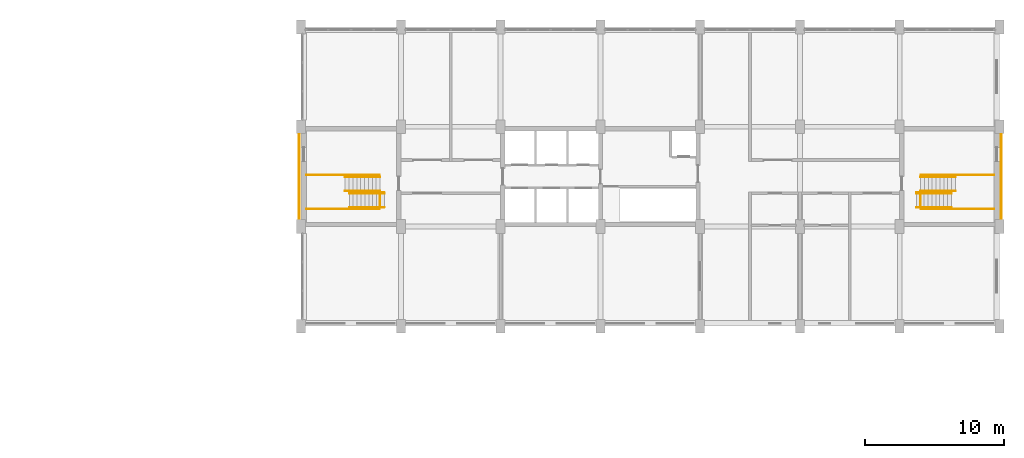
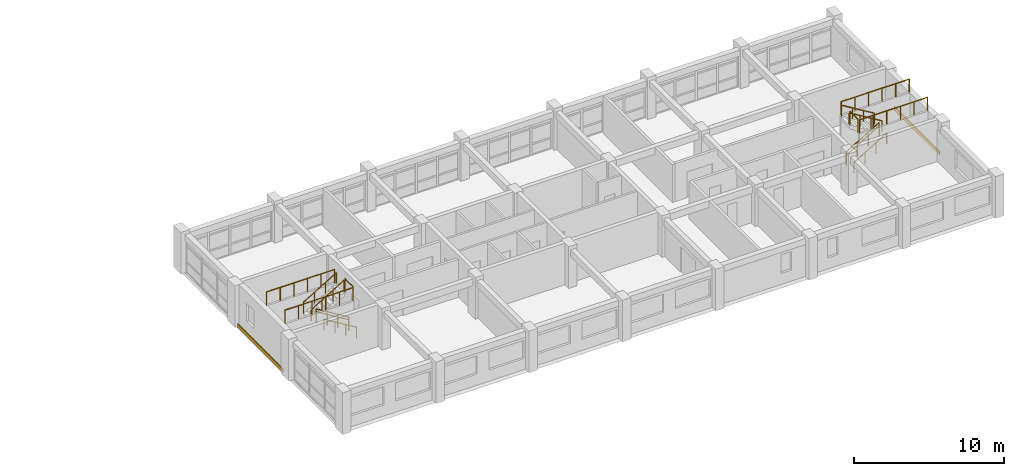
# One storey, part 19 of 19: 16 railings, 2 coverings.
"""IFC4 building model written with IfcOpenShell, lengths in metres."""

from ifc_helpers import new_model, si_unit, direction, frame, origin, origin_2d, place, context, subcontext, project, spatial, polyline, circle, outline, extrude, material, layer, layer_set, type_object, element, save


model = new_model("IFC4")

# Units and contexts
model_context = context("Model", 3, precision=1e-05, world=origin(), true_north=direction((0.0, 1.0)))
body_context = subcontext(model_context, "Body", "Model", "MODEL_VIEW")
ifc_project = project(units=[si_unit("LENGTHUNIT", "METRE"), si_unit("AREAUNIT", "SQUARE_METRE"), si_unit("VOLUMEUNIT", "CUBIC_METRE"), si_unit("PLANEANGLEUNIT", "RADIAN"), si_unit("MASSUNIT", "GRAM", prefix="KILO")], contexts=[model_context])

# Site, building, storey
site_placement = place(None, origin())
site = spatial("IfcSite", under=ifc_project, at=site_placement, CompositionType="ELEMENT")
building_placement = place(site_placement, origin())
building = spatial("IfcBuilding", under=site, at=building_placement, Name="Vermilion Court Aquatics Centre", CompositionType="ELEMENT")
storey_placement = place(building_placement, frame((0.0, 0.0, 19.89990234375)))
storey = spatial("IfcBuildingStorey", under=building, at=storey_placement, Name="L04", CompositionType="ELEMENT", Elevation=19.89990234375)

# Coverings
ifc_material_1 = material(Name="Brick masonry", Category="masonry")
ifc_layer = layer(ifc_material_1, 0.06005859375)
ifc_layer_set = layer_set([ifc_layer], Name="North block band course 60")
covering_type = type_object("IfcCoveringType", Name="North block band course 60", PredefinedType="CLADDING", material=ifc_layer_set)
covering_1_placement = place(storey_placement, origin())
element("IfcCovering", 1, at=covering_1_placement, inside=storey, type_object=covering_type, Name="North block band course west end L04", PredefinedType="CLADDING", context=body_context, shape_type="SweptSolid", body=[
    extrude(outline(polyline([(143.837890625, 101.35009765625), (143.89794921875, 101.35009765625), (143.89794921875, 107.449951171875), (143.837890625, 107.449951171875), (143.837890625, 101.35009765625)])), origin(), (0.0, 0.0, 1.0), 0.300048828125),
])
covering_2_placement = place(storey_placement, origin())
element("IfcCovering", 2, at=covering_2_placement, inside=storey, type_object=covering_type, Name="North block band course east end L04", PredefinedType="CLADDING", context=body_context, shape_type="SweptSolid", body=[
    extrude(outline(polyline([(194.501953125, 101.35009765625), (194.56201171875, 101.35009765625), (194.56201171875, 107.449951171875), (194.501953125, 107.449951171875), (194.501953125, 101.35009765625)])), origin(), (0.0, 0.0, 1.0), 0.300048828125),
])

# Railings
ifc_material_2 = material(Name="Steel ASTM A992 Grade 50", Category="steel")
railing_type_1 = type_object("IfcRailingType", Name="North block stair guard 1100", PredefinedType="GUARDRAIL", material=ifc_material_2)
railing_1_placement = place(storey_placement, frame((150.0, 103.235107421875, 0.170166015625)))
element("IfcRailing", 3, at=railing_1_placement, inside=storey, type_object=railing_type_1, Name="Stair 1 guard well L04", PredefinedType="GUARDRAIL", context=body_context, shape_type="SweptSolid", body=[
    extrude(circle(Radius=0.02392578125, at=origin_2d()), frame((0.0, 0.0, 1.076171875), z_axis=(-0.85478489116, 0.0, 0.518982456201), x_axis=(0.0, -1.0, 0.0)), (0.0, 0.0, 1.0), 2.9482421875),
    extrude(circle(Radius=0.02099609375, at=origin_2d()), origin(), (0.0, 0.0, 1.0), 1.052001953125),
    extrude(circle(Radius=0.02099609375, at=origin_2d()), frame((-0.840087890625, 0.0, 0.510009765625)), (0.0, 0.0, 1.0), 1.052001953125),
    extrude(circle(Radius=0.02099609375, at=origin_2d()), frame((-1.679931640625, 0.0, 1.02001953125)), (0.0, 0.0, 1.0), 1.052001953125),
    extrude(circle(Radius=0.02099609375, at=origin_2d()), frame((-2.52001953125, 0.0, 1.530029296875)), (0.0, 0.0, 1.0), 1.052001953125),
])
railing_2_placement = place(storey_placement, frame((149.699951171875, 103.22998046875, 3.400146484375)))
element("IfcRailing", 4, at=railing_2_placement, inside=storey, type_object=railing_type_1, Name="Stair 1 floor edge guard L04", PredefinedType="GUARDRAIL", context=body_context, shape_type="SweptSolid", body=[
    extrude(circle(Radius=0.02392578125, at=origin_2d()), frame((0.0, 0.0, 1.076171875), z_axis=(0.0, -1.0, 0.0), x_axis=(1.0, 0.0, 0.0)), (0.0, 0.0, 1.0), 1.070068359375),
    extrude(circle(Radius=0.02099609375, at=origin_2d()), origin(), (0.0, 0.0, 1.0), 1.052001953125),
    extrude(circle(Radius=0.02099609375, at=origin_2d()), frame((0.0, -1.070068359375, 0.0)), (0.0, 0.0, 1.0), 1.052001953125),
])
for number, where, name in (
    (5, (144.39990234375, 102.054931640625, 3.400146484375), "Stair 1 guard well roof opening L04"),
    (6, (144.39990234375, 104.5048828125, 3.400146484375), "Stair 1 guard well roof opening north L04"),
):
    element("IfcRailing", number, at=place(storey_placement, frame(where)), inside=storey, type_object=railing_type_1, Name=name, PredefinedType="GUARDRAIL", context=body_context, shape_type="SweptSolid", body=[
        extrude(circle(Radius=0.02392578125, at=origin_2d()), frame((0.0, 0.0, 1.076171875), z_axis=(1.0, 0.0, 0.0), x_axis=(0.0, 1.0, 0.0)), (0.0, 0.0, 1.0), 5.25),
        extrude(circle(Radius=0.02099609375, at=origin_2d()), origin(), (0.0, 0.0, 1.0), 1.052001953125),
        extrude(circle(Radius=0.02099609375, at=origin_2d()), frame((1.050048828125, 0.0, 0.0)), (0.0, 0.0, 1.0), 1.052001953125),
        extrude(circle(Radius=0.02099609375, at=origin_2d()), frame((2.10009765625, 0.0, 0.0)), (0.0, 0.0, 1.0), 1.052001953125),
        extrude(circle(Radius=0.02099609375, at=origin_2d()), frame((3.14990234375, 0.0, 0.0)), (0.0, 0.0, 1.0), 1.052001953125),
        extrude(circle(Radius=0.02099609375, at=origin_2d()), frame((4.199951171875, 0.0, 0.0)), (0.0, 0.0, 1.0), 1.052001953125),
        extrude(circle(Radius=0.02099609375, at=origin_2d()), frame((5.25, 0.0, 0.0)), (0.0, 0.0, 1.0), 1.052001953125),
    ])
railing_3_placement = place(storey_placement, frame((188.39990234375, 103.235107421875, 0.170166015625)))
element("IfcRailing", 7, at=railing_3_placement, inside=storey, type_object=railing_type_1, Name="Stair 2 guard well L04", PredefinedType="GUARDRAIL", context=body_context, shape_type="SweptSolid", body=[
    extrude(circle(Radius=0.02392578125, at=origin_2d()), frame((0.0, 0.0, 1.076171875), z_axis=(0.85478489116, 0.0, 0.518982456201), x_axis=(0.0, 1.0, 0.0)), (0.0, 0.0, 1.0), 2.9482421875),
    extrude(circle(Radius=0.02099609375, at=origin_2d()), origin(), (0.0, 0.0, 1.0), 1.052001953125),
    extrude(circle(Radius=0.02099609375, at=origin_2d()), frame((0.840087890625, 0.0, 0.510009765625)), (0.0, 0.0, 1.0), 1.052001953125),
    extrude(circle(Radius=0.02099609375, at=origin_2d()), frame((1.679931640625, 0.0, 1.02001953125)), (0.0, 0.0, 1.0), 1.052001953125),
    extrude(circle(Radius=0.02099609375, at=origin_2d()), frame((2.52001953125, 0.0, 1.530029296875)), (0.0, 0.0, 1.0), 1.052001953125),
])
railing_4_placement = place(storey_placement, frame((188.699951171875, 103.22998046875, 3.400146484375)))
element("IfcRailing", 8, at=railing_4_placement, inside=storey, type_object=railing_type_1, Name="Stair 2 floor edge guard L04", PredefinedType="GUARDRAIL", context=body_context, shape_type="SweptSolid", body=[
    extrude(circle(Radius=0.02392578125, at=origin_2d()), frame((0.0, 0.0, 1.076171875), z_axis=(0.0, -1.0, 0.0), x_axis=(1.0, 0.0, 0.0)), (0.0, 0.0, 1.0), 1.070068359375),
    extrude(circle(Radius=0.02099609375, at=origin_2d()), origin(), (0.0, 0.0, 1.0), 1.052001953125),
    extrude(circle(Radius=0.02099609375, at=origin_2d()), frame((0.0, -1.070068359375, 0.0)), (0.0, 0.0, 1.0), 1.052001953125),
])
for number, where, name in (
    (9, (188.75, 102.054931640625, 3.400146484375), "Stair 2 guard well roof opening L04"),
    (10, (188.75, 104.5048828125, 3.400146484375), "Stair 2 guard well roof opening north L04"),
):
    element("IfcRailing", number, at=place(storey_placement, frame(where)), inside=storey, type_object=railing_type_1, Name=name, PredefinedType="GUARDRAIL", context=body_context, shape_type="SweptSolid", body=[
        extrude(circle(Radius=0.02392578125, at=origin_2d()), frame((0.0, 0.0, 1.076171875), z_axis=(1.0, 0.0, 0.0), x_axis=(0.0, 1.0, 0.0)), (0.0, 0.0, 1.0), 5.25),
        extrude(circle(Radius=0.02099609375, at=origin_2d()), origin(), (0.0, 0.0, 1.0), 1.052001953125),
        extrude(circle(Radius=0.02099609375, at=origin_2d()), frame((1.050048828125, 0.0, 0.0)), (0.0, 0.0, 1.0), 1.052001953125),
        extrude(circle(Radius=0.02099609375, at=origin_2d()), frame((2.10009765625, 0.0, 0.0)), (0.0, 0.0, 1.0), 1.052001953125),
        extrude(circle(Radius=0.02099609375, at=origin_2d()), frame((3.14990234375, 0.0, 0.0)), (0.0, 0.0, 1.0), 1.052001953125),
        extrude(circle(Radius=0.02099609375, at=origin_2d()), frame((4.199951171875, 0.0, 0.0)), (0.0, 0.0, 1.0), 1.052001953125),
        extrude(circle(Radius=0.02099609375, at=origin_2d()), frame((5.25, 0.0, 0.0)), (0.0, 0.0, 1.0), 1.052001953125),
    ])
ifc_material_3 = material(Name="Steel ASTM A992 Grade 50", Category="steel")
railing_type_2 = type_object("IfcRailingType", Name="North block stair handrail 900", PredefinedType="HANDRAIL", material=ifc_material_3)
for number, where, name in (
    (11, (150.0, 102.179931640625, 0.170166015625), "Stair 1 handrail wall L04"),
    (12, (150.0, 103.18505859375, 0.170166015625), "Stair 1 handrail well L04"),
):
    element("IfcRailing", number, at=place(storey_placement, frame(where)), inside=storey, type_object=railing_type_2, Name=name, PredefinedType="HANDRAIL", context=body_context, shape_type="SweptSolid", body=[
        extrude(circle(Radius=0.02392578125, at=origin_2d()), frame((0.0, 0.0, 0.8759765625), z_axis=(-0.85478489116, 0.0, 0.518982456201), x_axis=(0.0, -1.0, 0.0)), (0.0, 0.0, 1.0), 2.9482421875),
        extrude(circle(Radius=0.02099609375, at=origin_2d()), origin(), (0.0, 0.0, 1.0), 0.851806640625),
        extrude(circle(Radius=0.02099609375, at=origin_2d()), frame((-0.840087890625, 0.0, 0.510009765625)), (0.0, 0.0, 1.0), 0.851806640625),
        extrude(circle(Radius=0.02099609375, at=origin_2d()), frame((-1.679931640625, 0.0, 1.02001953125)), (0.0, 0.0, 1.0), 0.851806640625),
        extrude(circle(Radius=0.02099609375, at=origin_2d()), frame((-2.52001953125, 0.0, 1.530029296875)), (0.0, 0.0, 1.0), 0.851806640625),
    ])
for number, where, name in (
    (13, (147.179931640625, 104.3798828125, 1.8701171875), "Stair 1 handrail wall L04"),
    (14, (147.179931640625, 103.35009765625, 1.8701171875), "Stair 1 handrail well L04"),
    (15, (188.39990234375, 102.179931640625, 0.170166015625), "Stair 2 handrail wall L04"),
    (16, (188.39990234375, 103.18505859375, 0.170166015625), "Stair 2 handrail well L04"),
):
    element("IfcRailing", number, at=place(storey_placement, frame(where)), inside=storey, type_object=railing_type_2, Name=name, PredefinedType="HANDRAIL", context=body_context, shape_type="SweptSolid", body=[
        extrude(circle(Radius=0.02392578125, at=origin_2d()), frame((0.0, 0.0, 0.8759765625), z_axis=(0.85478489116, 0.0, 0.518982456201), x_axis=(0.0, 1.0, 0.0)), (0.0, 0.0, 1.0), 2.9482421875),
        extrude(circle(Radius=0.02099609375, at=origin_2d()), origin(), (0.0, 0.0, 1.0), 0.851806640625),
        extrude(circle(Radius=0.02099609375, at=origin_2d()), frame((0.840087890625, 0.0, 0.510009765625)), (0.0, 0.0, 1.0), 0.851806640625),
        extrude(circle(Radius=0.02099609375, at=origin_2d()), frame((1.679931640625, 0.0, 1.02001953125)), (0.0, 0.0, 1.0), 0.851806640625),
        extrude(circle(Radius=0.02099609375, at=origin_2d()), frame((2.52001953125, 0.0, 1.530029296875)), (0.0, 0.0, 1.0), 0.851806640625),
    ])
for number, where, name in (
    (17, (191.219970703125, 104.3798828125, 1.8701171875), "Stair 2 handrail wall L04"),
    (18, (191.219970703125, 103.35009765625, 1.8701171875), "Stair 2 handrail well L04"),
):
    element("IfcRailing", number, at=place(storey_placement, frame(where)), inside=storey, type_object=railing_type_2, Name=name, PredefinedType="HANDRAIL", context=body_context, shape_type="SweptSolid", body=[
        extrude(circle(Radius=0.02392578125, at=origin_2d()), frame((0.0, 0.0, 0.8759765625), z_axis=(-0.85478489116, 0.0, 0.518982456201), x_axis=(0.0, -1.0, 0.0)), (0.0, 0.0, 1.0), 2.9482421875),
        extrude(circle(Radius=0.02099609375, at=origin_2d()), origin(), (0.0, 0.0, 1.0), 0.851806640625),
        extrude(circle(Radius=0.02099609375, at=origin_2d()), frame((-0.840087890625, 0.0, 0.510009765625)), (0.0, 0.0, 1.0), 0.851806640625),
        extrude(circle(Radius=0.02099609375, at=origin_2d()), frame((-1.679931640625, 0.0, 1.02001953125)), (0.0, 0.0, 1.0), 0.851806640625),
        extrude(circle(Radius=0.02099609375, at=origin_2d()), frame((-2.52001953125, 0.0, 1.530029296875)), (0.0, 0.0, 1.0), 0.851806640625),
    ])

save(model, "model.ifc")
